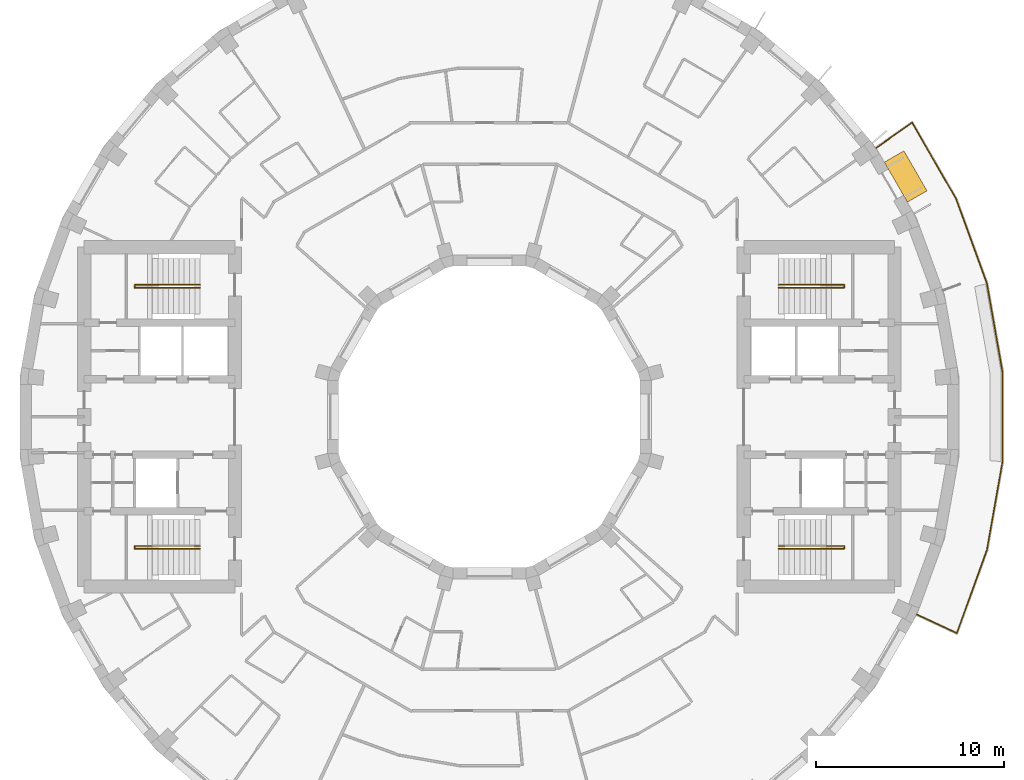
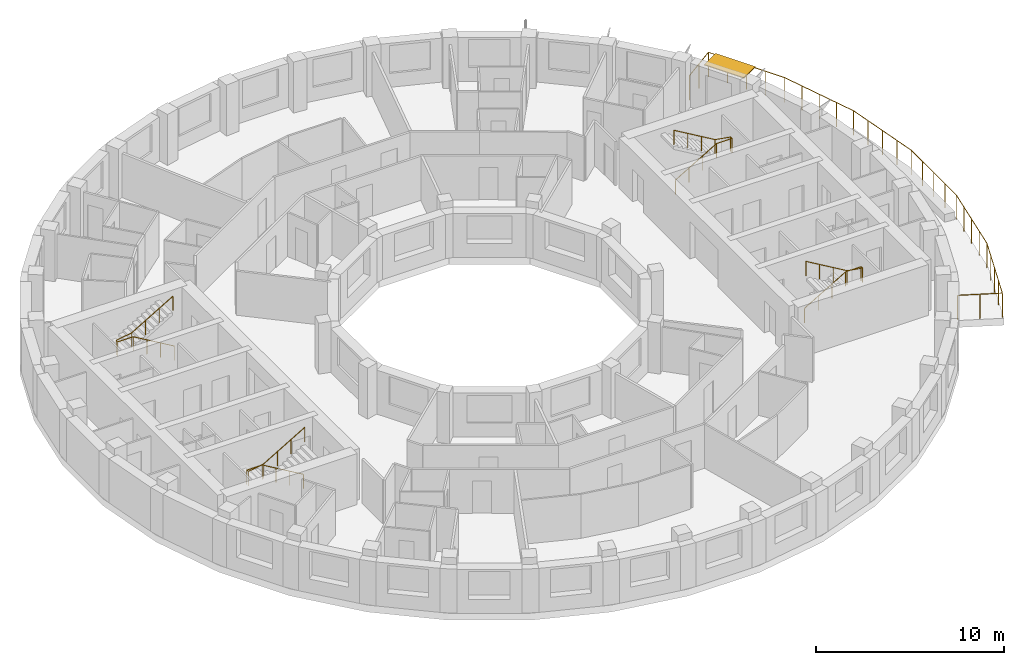
# One storey, part 11 of 11: 5 railings, 1 shading device.
"""IFC4 building model written with IfcOpenShell, lengths in metres."""

import ifcopenshell
import ifcopenshell.guid

model = None  # the IFC model being written
_history = None  # IfcOwnerHistory: only IFC2X3 demands one
_inside = {}  # id of a spatial element -> (the spatial element, [elements in it])
_under = {}  # id of a project, library or spatial element -> (it, [spatial elements below it])
_declared = {}  # id of a project -> (the project, [libraries it declares])
_typed = {}  # id of a type object -> (the type object, [elements of that type])
_made_of = {}  # id of a material, layer set ... -> (it, [elements and type objects made of it])


def new_model(schema):
    """Start an empty IFC model of exactly this schema.

    Asked for "IFC4X3", IfcOpenShell would pick the latest addendum, in which some entities
    have other attributes; the version numbers below select the first issue.
    IFC2X3 requires an IfcOwnerHistory on every rooted entity: one is made here for all.
    """
    global model, _history
    if schema == "IFC4X3":
        model = ifcopenshell.file(schema_version=(4, 3, 0, 0))
    else:
        model = ifcopenshell.file(schema=schema)
    _inside.clear()
    _under.clear()
    _declared.clear()
    _typed.clear()
    _made_of.clear()
    _history = None
    if model.schema == "IFC2X3":
        org = make("IfcOrganization", Name="unknown")
        user = make(
            "IfcPersonAndOrganization",
            ThePerson=make("IfcPerson", FamilyName="unknown"),
            TheOrganization=org,
        )
        app = make(
            "IfcApplication",
            ApplicationDeveloper=org,
            Version="unknown",
            ApplicationFullName="unknown",
            ApplicationIdentifier="unknown",
        )
        _history = make(
            "IfcOwnerHistory",
            OwningUser=user,
            OwningApplication=app,
            ChangeAction="ADDED",
            CreationDate=0,
        )
    return model


def make(cls, **values):
    """One entity of the class cls with the attributes given. An attribute that is None is left unset."""
    return model.create_entity(
        cls, **{name: value for name, value in values.items() if value is not None}
    )


def rooted(cls, **values):
    """An entity with a GlobalId (a new one), such as an element, a storey or a relation."""
    return make(cls, GlobalId=ifcopenshell.guid.new(), OwnerHistory=_history, **values)


def si_unit(unit_type, name, prefix=None):
    """IfcSIUnit, for example si_unit("LENGTHUNIT", "METRE", prefix="MILLI")."""
    return make("IfcSIUnit", UnitType=unit_type, Prefix=prefix, Name=name)


def assignment(units):
    """IfcUnitAssignment: the units of a project."""
    return None if units is None else make("IfcUnitAssignment", Units=units)


def point(xyz):
    """IfcCartesianPoint."""
    return None if xyz is None else make("IfcCartesianPoint", Coordinates=xyz)


def direction(xyz):
    """IfcDirection."""
    return None if xyz is None else make("IfcDirection", DirectionRatios=xyz)


def frame(location, z_axis=None, x_axis=None):
    """IfcAxis2Placement3D, a coordinate frame: its origin and axes. An axis left out is left unset."""
    return make(
        "IfcAxis2Placement3D",
        Location=point(location),
        Axis=direction(z_axis),
        RefDirection=direction(x_axis),
    )


def frame_2d(location, x_axis=None):
    """IfcAxis2Placement2D, a coordinate frame in the plane: its origin and x axis."""
    return make(
        "IfcAxis2Placement2D", Location=point(location), RefDirection=direction(x_axis)
    )


def origin():
    """The frame at (0, 0, 0) with its axes left unset."""
    return frame((0.0, 0.0, 0.0))


def origin_2d():
    """The frame at (0, 0) in the plane with its x axis left unset."""
    return frame_2d((0.0, 0.0))


def place(relative_to, where):
    """IfcLocalPlacement: puts the frame where relative to a parent placement (None: the world)."""
    return make(
        "IfcLocalPlacement", PlacementRelTo=relative_to, RelativePlacement=where
    )


def context(
    kind, dimensions, precision=None, world=None, true_north=None, identifier=None
):
    """IfcGeometricRepresentationContext, for example the 3D "Model" context."""
    return make(
        "IfcGeometricRepresentationContext",
        ContextIdentifier=identifier,
        ContextType=kind,
        CoordinateSpaceDimension=dimensions,
        Precision=precision,
        WorldCoordinateSystem=world,
        TrueNorth=true_north,
    )


def subcontext(parent, identifier, kind, view, scale=None):
    """IfcGeometricRepresentationSubContext, for example "Body" below "Model"."""
    return make(
        "IfcGeometricRepresentationSubContext",
        ContextIdentifier=identifier,
        ContextType=kind,
        ParentContext=parent,
        TargetScale=scale,
        TargetView=view,
    )


def project(units=None, contexts=None):
    """IfcProject with its units and contexts."""
    return rooted(
        "IfcProject",
        Name="project",
        RepresentationContexts=contexts,
        UnitsInContext=assignment(units),
    )


def spatial(cls, under=None, at=None, **own):
    """A site, building, storey or space (cls), placed at a placement, below another one or the project."""
    s = rooted(cls, ObjectPlacement=at, **own)
    if under is not None:
        _under.setdefault(under.id(), (under, []))[1].append(s)
    return s


def profile(cls, at=None, kind="AREA", **sizes):
    """A parametric profile (cls). Its sizes go by their IFC names, for example OverallWidth=200.0."""
    return make(cls, ProfileType=kind, Position=at, **sizes)


def rectangle(**sizes):
    """IfcRectangleProfileDef."""
    return profile("IfcRectangleProfileDef", **sizes)


def circle(**sizes):
    """IfcCircleProfileDef."""
    return profile("IfcCircleProfileDef", **sizes)


def extrude(swept, where, along, depth):
    """IfcExtrudedAreaSolid: the profile swept, set in the frame where, extruded along a direction by depth."""
    return make(
        "IfcExtrudedAreaSolid",
        SweptArea=swept,
        Position=where,
        ExtrudedDirection=direction(along),
        Depth=depth,
    )


def shape(context_of_items, identifier, shape_type, items):
    """IfcShapeRepresentation: the items that make up one representation, for example the "Body"."""
    return make(
        "IfcShapeRepresentation",
        ContextOfItems=context_of_items,
        RepresentationIdentifier=identifier,
        RepresentationType=shape_type,
        Items=items,
    )


def material(Name=None, Category=None):
    """IfcMaterial."""
    return make("IfcMaterial", Name=Name, Category=Category)


def layer(
    of_material, thickness, ventilated=None, Name=None, Category=None, Priority=None
):
    """IfcMaterialLayer: one layer of a wall or slab, of a material (None: an air gap)."""
    return make(
        "IfcMaterialLayer",
        Material=of_material,
        LayerThickness=thickness,
        IsVentilated=ventilated,
        Name=Name,
        Category=Category,
        Priority=Priority,
    )


def layer_set(layers, Name=None):
    """IfcMaterialLayerSet."""
    return make("IfcMaterialLayerSet", MaterialLayers=layers, LayerSetName=Name)


def made_of(thing, what):
    """Note that an element or type object is made of a material, layer set ...; save() writes the relation."""
    if what is not None:
        _made_of.setdefault(what.id(), (what, []))[1].append(thing)
    return thing


def type_object(cls, material=None, **own):
    """A type object (cls), such as IfcWallType, which elements share."""
    return made_of(rooted(cls, **own), material)


def element(
    cls,
    number,
    at=None,
    inside=None,
    cuts=None,
    type_object=None,
    material=None,
    context=None,
    identifier="Body",
    shape_type=None,
    held_by="IfcProductDefinitionShape",
    body=None,
    shapes=None,
    **own,
):
    """One element of the class cls, such as IfcWall. Its Tag is "e" and its number.

    at: its placement. inside: the storey or other place that contains it. cuts: it is an
    opening in that element (IfcRelVoidsElement). A single representation is given by context,
    identifier, shape_type and body (its items); several are given by shapes. held_by: the class
    of the entity that holds the representations. save() writes the other relations.
    """
    e = rooted(cls, Tag="e%d" % number, ObjectPlacement=at, **own)
    if body is not None:
        shapes = [shape(context, identifier, shape_type, body)]
    if shapes is not None:
        e.Representation = make(held_by, Representations=shapes)
    if inside is not None:
        _inside.setdefault(inside.id(), (inside, []))[1].append(e)
    if cuts is not None:
        rooted(
            "IfcRelVoidsElement", RelatingBuildingElement=cuts, RelatedOpeningElement=e
        )
    if type_object is not None:
        _typed.setdefault(type_object.id(), (type_object, []))[1].append(e)
    return made_of(e, material)


def aggregate(whole, parts):
    """IfcRelAggregates: a whole, such as a stair, and the parts it consists of."""
    return rooted("IfcRelAggregates", RelatingObject=whole, RelatedObjects=parts)


def save(model, path):
    """Write the relations noted so far, then the file.

    IfcRelAggregates (storeys below a building ...), IfcRelContainedInSpatialStructure (elements
    in a storey), IfcRelDefinesByType, IfcRelAssociatesMaterial and IfcRelDeclares: one each for
    every whole, place, type object, material and project.
    """
    for whole, parts in _under.values():
        aggregate(whole, parts)
    for where, things in _inside.values():
        rooted(
            "IfcRelContainedInSpatialStructure",
            RelatedElements=things,
            RelatingStructure=where,
        )
    for kind, things in _typed.values():
        rooted("IfcRelDefinesByType", RelatedObjects=things, RelatingType=kind)
    for what, things in _made_of.values():
        rooted("IfcRelAssociatesMaterial", RelatedObjects=things, RelatingMaterial=what)
    for by, libraries in _declared.values():
        rooted("IfcRelDeclares", RelatingContext=by, RelatedDefinitions=libraries)
    model.write(path)


model = new_model("IFC4")

# Units and contexts
model_context = context("Model", 3, precision=1e-05, world=origin(), true_north=direction((0.0, 1.0)))
body_context = subcontext(model_context, "Body", "Model", "MODEL_VIEW")
ifc_project = project(units=[si_unit("LENGTHUNIT", "METRE"), si_unit("AREAUNIT", "SQUARE_METRE"), si_unit("VOLUMEUNIT", "CUBIC_METRE"), si_unit("PLANEANGLEUNIT", "RADIAN"), si_unit("MASSUNIT", "GRAM", prefix="KILO")], contexts=[model_context])

# Site, building, storey
site_placement = place(None, origin())
site = spatial("IfcSite", under=ifc_project, at=site_placement, CompositionType="ELEMENT")
building_placement = place(site_placement, origin())
building = spatial("IfcBuilding", under=site, at=building_placement, Name="Saqina Gate Tower", CompositionType="ELEMENT")
storey_placement = place(building_placement, frame((0.0, 0.0, 187.199951171875)))
storey = spatial("IfcBuildingStorey", under=building, at=storey_placement, Name="L53", CompositionType="ELEMENT", Elevation=187.199951171875)

# Shading device
ifc_material_1 = material(Name="Aluminium and fabric awning", Category="aluminium")
ifc_layer = layer(ifc_material_1, 0.050048828125)
ifc_layer_set = layer_set([ifc_layer], Name="AW-TERRACE")
shading_device_type = type_object("IfcShadingDeviceType", Name="AW-TERRACE", PredefinedType="AWNING", material=ifc_layer_set)
shading_device_placement = place(storey_placement, frame((22.087890625, 12.75244140625, 2.52490234375), z_axis=(0.0, 0.0, 1.0), x_axis=(-0.5, 0.866025403784, 0.0)))
element("IfcShadingDevice", 1, at=shading_device_placement, inside=storey, type_object=shading_device_type, Name="Terrace awning L53 facet 3", PredefinedType="AWNING", context=body_context, shape_type="SweptSolid", body=[
    extrude(rectangle(XDim=2.44970703125, YDim=1.199951171875, at=origin_2d()), origin(), (0.0, 0.0, 1.0), 0.050048828125),
])

# Railings
ifc_material_2 = material(Name="Stainless steel", Category="steel")
railing_type_1 = type_object("IfcRailingType", Name="RL-TERRACE", PredefinedType="GUARDRAIL", material=ifc_material_2)
railing_1_placement = place(storey_placement, frame((22.63720703125, -10.467529296875, 0.0)))
element("IfcRailing", 2, at=railing_1_placement, inside=storey, type_object=railing_type_1, Name="Terrace guard L53", PredefinedType="GUARDRAIL", context=body_context, shape_type="SweptSolid", body=[
    extrude(circle(Radius=0.02392578125, at=origin_2d()), frame((0.0, 0.0, 1.576171875), z_axis=(0.906277108403, -0.422684046048, 0.0), x_axis=(0.422684046048, 0.906277108403, 0.0)), (0.0, 0.0, 1.0), 2.388916015625),
    extrude(circle(Radius=0.02392578125, at=origin_2d()), frame((2.1650390625, -1.009765625, 1.576171875), z_axis=(0.340608713677, 0.940205139407, 0.0), x_axis=(-0.940205139407, 0.340608713677, 0.0)), (0.0, 0.0, 1.0), 4.68408203125),
    extrude(circle(Radius=0.02392578125, at=origin_2d()), frame((3.760498046875, 3.394287109375, 1.576171875), z_axis=(0.173633303123, 0.98481037568, 0.0), x_axis=(-0.98481037568, 0.173633303123, 0.0)), (0.0, 0.0, 1.0), 4.763671875),
    extrude(circle(Radius=0.02392578125, at=origin_2d()), frame((4.587646484375, 8.085693359375, 1.576171875), z_axis=(0.0, 1.0, 0.0), x_axis=(-1.0, 0.0, 0.0)), (0.0, 0.0, 1.0), 4.763671875),
    extrude(circle(Radius=0.02392578125, at=origin_2d()), frame((4.587646484375, 12.849365234375, 1.576171875), z_axis=(-0.173633303123, 0.98481037568, 0.0), x_axis=(-0.98481037568, -0.173633303123, 0.0)), (0.0, 0.0, 1.0), 4.763671875),
    extrude(circle(Radius=0.02392578125, at=origin_2d()), frame((3.760498046875, 17.540771484375, 1.576171875), z_axis=(-0.342031084868, 0.939688638318, 0.0), x_axis=(-0.939688638318, -0.342031084868, 0.0)), (0.0, 0.0, 1.0), 4.763916015625),
    extrude(circle(Radius=0.02392578125, at=origin_2d()), frame((2.131103515625, 22.017333984375, 1.576171875), z_axis=(-0.49871886863, 0.866763802932, 0.0), x_axis=(-0.866763802932, -0.49871886863, 0.0)), (0.0, 0.0, 1.0), 4.683837890625),
    extrude(circle(Radius=0.02392578125, at=origin_2d()), frame((-0.204833984375, 26.0771484375, 1.576171875), z_axis=(-0.819159891559, -0.573565229124, 0.0), x_axis=(0.573565229124, -0.819159891559, 0.0)), (0.0, 0.0, 1.0), 2.388671875),
    extrude(circle(Radius=0.02099609375, at=origin_2d()), origin(), (0.0, 0.0, 1.0), 1.552001953125),
    extrude(circle(Radius=0.02099609375, at=origin_2d()), frame((1.08251953125, -0.5048828125, 0.0)), (0.0, 0.0, 1.0), 1.552001953125),
    extrude(circle(Radius=0.02099609375, at=origin_2d()), frame((2.1650390625, -1.009765625, 0.0)), (0.0, 0.0, 1.0), 1.552001953125),
    extrude(circle(Radius=0.02099609375, at=origin_2d()), frame((2.56396484375, 0.09130859375, 0.0)), (0.0, 0.0, 1.0), 1.552001953125),
    extrude(circle(Radius=0.02099609375, at=origin_2d()), frame((2.962890625, 1.1923828125, 0.0)), (0.0, 0.0, 1.0), 1.552001953125),
    extrude(circle(Radius=0.02099609375, at=origin_2d()), frame((3.361572265625, 2.293212890625, 0.0)), (0.0, 0.0, 1.0), 1.552001953125),
    extrude(circle(Radius=0.02099609375, at=origin_2d()), frame((3.760498046875, 3.394287109375, 0.0)), (0.0, 0.0, 1.0), 1.552001953125),
    extrude(circle(Radius=0.02099609375, at=origin_2d()), frame((3.96728515625, 4.567138671875, 0.0)), (0.0, 0.0, 1.0), 1.552001953125),
    extrude(circle(Radius=0.02099609375, at=origin_2d()), frame((4.174072265625, 5.739990234375, 0.0)), (0.0, 0.0, 1.0), 1.552001953125),
    extrude(circle(Radius=0.02099609375, at=origin_2d()), frame((4.380859375, 6.912841796875, 0.0)), (0.0, 0.0, 1.0), 1.552001953125),
    extrude(circle(Radius=0.02099609375, at=origin_2d()), frame((4.587646484375, 8.085693359375, 0.0)), (0.0, 0.0, 1.0), 1.552001953125),
    extrude(circle(Radius=0.02099609375, at=origin_2d()), frame((4.587646484375, 9.276611328125, 0.0)), (0.0, 0.0, 1.0), 1.552001953125),
    extrude(circle(Radius=0.02099609375, at=origin_2d()), frame((4.587646484375, 10.467529296875, 0.0)), (0.0, 0.0, 1.0), 1.552001953125),
    extrude(circle(Radius=0.02099609375, at=origin_2d()), frame((4.587646484375, 11.658447265625, 0.0)), (0.0, 0.0, 1.0), 1.552001953125),
    extrude(circle(Radius=0.02099609375, at=origin_2d()), frame((4.587646484375, 12.849365234375, 0.0)), (0.0, 0.0, 1.0), 1.552001953125),
    extrude(circle(Radius=0.02099609375, at=origin_2d()), frame((4.380859375, 14.022216796875, 0.0)), (0.0, 0.0, 1.0), 1.552001953125),
    extrude(circle(Radius=0.02099609375, at=origin_2d()), frame((4.174072265625, 15.195068359375, 0.0)), (0.0, 0.0, 1.0), 1.552001953125),
    extrude(circle(Radius=0.02099609375, at=origin_2d()), frame((3.96728515625, 16.367919921875, 0.0)), (0.0, 0.0, 1.0), 1.552001953125),
    extrude(circle(Radius=0.02099609375, at=origin_2d()), frame((3.760498046875, 17.540771484375, 0.0)), (0.0, 0.0, 1.0), 1.552001953125),
    extrude(circle(Radius=0.02099609375, at=origin_2d()), frame((3.35302734375, 18.659912109375, 0.0)), (0.0, 0.0, 1.0), 1.552001953125),
    extrude(circle(Radius=0.02099609375, at=origin_2d()), frame((2.94580078125, 19.779052734375, 0.0)), (0.0, 0.0, 1.0), 1.552001953125),
    extrude(circle(Radius=0.02099609375, at=origin_2d()), frame((2.53857421875, 20.898193359375, 0.0)), (0.0, 0.0, 1.0), 1.552001953125),
    extrude(circle(Radius=0.02099609375, at=origin_2d()), frame((2.131103515625, 22.017333984375, 0.0)), (0.0, 0.0, 1.0), 1.552001953125),
    extrude(circle(Radius=0.02099609375, at=origin_2d()), frame((1.547119140625, 23.0322265625, 0.0)), (0.0, 0.0, 1.0), 1.552001953125),
    extrude(circle(Radius=0.02099609375, at=origin_2d()), frame((0.963134765625, 24.04736328125, 0.0)), (0.0, 0.0, 1.0), 1.552001953125),
    extrude(circle(Radius=0.02099609375, at=origin_2d()), frame((0.379150390625, 25.062255859375, 0.0)), (0.0, 0.0, 1.0), 1.552001953125),
    extrude(circle(Radius=0.02099609375, at=origin_2d()), frame((-0.204833984375, 26.0771484375, 0.0)), (0.0, 0.0, 1.0), 1.552001953125),
    extrude(circle(Radius=0.02099609375, at=origin_2d()), frame((-1.18310546875, 25.39208984375, 0.0)), (0.0, 0.0, 1.0), 1.552001953125),
    extrude(circle(Radius=0.02099609375, at=origin_2d()), frame((-2.16162109375, 24.70703125, 0.0)), (0.0, 0.0, 1.0), 1.552001953125),
])
ifc_material_3 = material(Name="Stainless steel", Category="steel")
railing_type_2 = type_object("IfcRailingType", Name="STAIR HANDRAIL", PredefinedType="HANDRAIL", material=ifc_material_3)
railing_2_placement = place(storey_placement, frame((15.35009765625, 6.85009765625, 0.1650390625)))
element("IfcRailing", 3, at=railing_2_placement, inside=storey, type_object=railing_type_2, Name="EXIT STAIR 1 HANDRAIL", PredefinedType="HANDRAIL", context=body_context, shape_type="SweptSolid", body=[
    extrude(circle(Radius=0.02392578125, at=origin_2d()), frame((0.0, 0.0, 0.92578125), z_axis=(0.86152411907, 0.0, 0.507716645641), x_axis=(0.0, 1.0, 0.0)), (0.0, 0.0, 1.0), 2.925048828125),
    extrude(circle(Radius=0.02392578125, at=origin_2d()), frame((2.52001953125, 0.0, 2.4111328125), z_axis=(1.0, 0.0, 0.0), x_axis=(0.0, 1.0, 0.0)), (0.0, 0.0, 1.0), 0.949951171875),
    extrude(circle(Radius=0.02392578125, at=origin_2d()), frame((3.469970703125, 0.0, 2.4111328125), z_axis=(0.0, 1.0, 0.0), x_axis=(-1.0, 0.0, 0.0)), (0.0, 0.0, 1.0), 0.14990234375),
    extrude(circle(Radius=0.02392578125, at=origin_2d()), frame((3.469970703125, 0.14990234375, 2.4111328125), z_axis=(-0.985284148366, 0.0, 0.170924389655), x_axis=(0.0, -1.0, 0.0)), (0.0, 0.0, 1.0), 0.964111328125),
    extrude(circle(Radius=0.02392578125, at=origin_2d()), frame((2.52001953125, 0.14990234375, 2.57568359375), z_axis=(-0.86152411907, 0.0, 0.507716645641), x_axis=(0.0, -1.0, 0.0)), (0.0, 0.0, 1.0), 2.925048828125),
    extrude(circle(Radius=0.02099609375, at=origin_2d()), origin(), (0.0, 0.0, 1.0), 0.90185546875),
    extrude(circle(Radius=0.02099609375, at=origin_2d()), frame((0.840087890625, 0.0, 0.4951171875)), (0.0, 0.0, 1.0), 0.90185546875),
    extrude(circle(Radius=0.02099609375, at=origin_2d()), frame((1.679931640625, 0.0, 0.989990234375)), (0.0, 0.0, 1.0), 0.90185546875),
    extrude(circle(Radius=0.02099609375, at=origin_2d()), frame((2.52001953125, 0.0, 1.485107421875)), (0.0, 0.0, 1.0), 0.90185546875),
    extrude(circle(Radius=0.02099609375, at=origin_2d()), frame((3.469970703125, 0.0, 1.485107421875)), (0.0, 0.0, 1.0), 0.90185546875),
    extrude(circle(Radius=0.02099609375, at=origin_2d()), frame((3.469970703125, 0.14990234375, 1.485107421875)), (0.0, 0.0, 1.0), 0.90185546875),
    extrude(circle(Radius=0.02099609375, at=origin_2d()), frame((2.52001953125, 0.14990234375, 1.64990234375)), (0.0, 0.0, 1.0), 0.90185546875),
    extrude(circle(Radius=0.02099609375, at=origin_2d()), frame((1.679931640625, 0.14990234375, 2.14501953125)), (0.0, 0.0, 1.0), 0.90185546875),
    extrude(circle(Radius=0.02099609375, at=origin_2d()), frame((0.840087890625, 0.14990234375, 2.639892578125)), (0.0, 0.0, 1.0), 0.90185546875),
    extrude(circle(Radius=0.02099609375, at=origin_2d()), frame((0.0, 0.14990234375, 3.135009765625)), (0.0, 0.0, 1.0), 0.90185546875),
])
railing_3_placement = place(storey_placement, frame((15.35009765625, -6.85009765625, 0.1650390625)))
element("IfcRailing", 4, at=railing_3_placement, inside=storey, type_object=railing_type_2, Name="EXIT STAIR 2 HANDRAIL", PredefinedType="HANDRAIL", context=body_context, shape_type="SweptSolid", body=[
    extrude(circle(Radius=0.02392578125, at=origin_2d()), frame((0.0, 0.0, 0.92578125), z_axis=(0.86152411907, 0.0, 0.507716645641), x_axis=(0.0, 1.0, 0.0)), (0.0, 0.0, 1.0), 2.925048828125),
    extrude(circle(Radius=0.02392578125, at=origin_2d()), frame((2.52001953125, 0.0, 2.4111328125), z_axis=(1.0, 0.0, 0.0), x_axis=(0.0, 1.0, 0.0)), (0.0, 0.0, 1.0), 0.949951171875),
    extrude(circle(Radius=0.02392578125, at=origin_2d()), frame((3.469970703125, 0.0, 2.4111328125), z_axis=(0.0, -1.0, 0.0), x_axis=(1.0, 0.0, 0.0)), (0.0, 0.0, 1.0), 0.14990234375),
    extrude(circle(Radius=0.02392578125, at=origin_2d()), frame((3.469970703125, -0.14990234375, 2.4111328125), z_axis=(-0.985284148366, 0.0, 0.170924389655), x_axis=(0.0, -1.0, 0.0)), (0.0, 0.0, 1.0), 0.964111328125),
    extrude(circle(Radius=0.02392578125, at=origin_2d()), frame((2.52001953125, -0.14990234375, 2.57568359375), z_axis=(-0.86152411907, 0.0, 0.507716645641), x_axis=(0.0, -1.0, 0.0)), (0.0, 0.0, 1.0), 2.925048828125),
    extrude(circle(Radius=0.02099609375, at=origin_2d()), origin(), (0.0, 0.0, 1.0), 0.90185546875),
    extrude(circle(Radius=0.02099609375, at=origin_2d()), frame((0.840087890625, 0.0, 0.4951171875)), (0.0, 0.0, 1.0), 0.90185546875),
    extrude(circle(Radius=0.02099609375, at=origin_2d()), frame((1.679931640625, 0.0, 0.989990234375)), (0.0, 0.0, 1.0), 0.90185546875),
    extrude(circle(Radius=0.02099609375, at=origin_2d()), frame((2.52001953125, 0.0, 1.485107421875)), (0.0, 0.0, 1.0), 0.90185546875),
    extrude(circle(Radius=0.02099609375, at=origin_2d()), frame((3.469970703125, 0.0, 1.485107421875)), (0.0, 0.0, 1.0), 0.90185546875),
    extrude(circle(Radius=0.02099609375, at=origin_2d()), frame((3.469970703125, -0.14990234375, 1.485107421875)), (0.0, 0.0, 1.0), 0.90185546875),
    extrude(circle(Radius=0.02099609375, at=origin_2d()), frame((2.52001953125, -0.14990234375, 1.64990234375)), (0.0, 0.0, 1.0), 0.90185546875),
    extrude(circle(Radius=0.02099609375, at=origin_2d()), frame((1.679931640625, -0.14990234375, 2.14501953125)), (0.0, 0.0, 1.0), 0.90185546875),
    extrude(circle(Radius=0.02099609375, at=origin_2d()), frame((0.840087890625, -0.14990234375, 2.639892578125)), (0.0, 0.0, 1.0), 0.90185546875),
    extrude(circle(Radius=0.02099609375, at=origin_2d()), frame((0.0, -0.14990234375, 3.135009765625)), (0.0, 0.0, 1.0), 0.90185546875),
])
railing_4_placement = place(storey_placement, frame((-15.35009765625, 6.85009765625, 0.1650390625)))
element("IfcRailing", 5, at=railing_4_placement, inside=storey, type_object=railing_type_2, Name="EXIT STAIR 3 HANDRAIL", PredefinedType="HANDRAIL", context=body_context, shape_type="SweptSolid", body=[
    extrude(circle(Radius=0.02392578125, at=origin_2d()), frame((0.0, 0.0, 0.92578125), z_axis=(-0.86152411907, 0.0, 0.507716645641), x_axis=(0.0, -1.0, 0.0)), (0.0, 0.0, 1.0), 2.925048828125),
    extrude(circle(Radius=0.02392578125, at=origin_2d()), frame((-2.52001953125, 0.0, 2.4111328125), z_axis=(-1.0, 0.0, 0.0), x_axis=(0.0, -1.0, 0.0)), (0.0, 0.0, 1.0), 0.949951171875),
    extrude(circle(Radius=0.02392578125, at=origin_2d()), frame((-3.469970703125, 0.0, 2.4111328125), z_axis=(0.0, 1.0, 0.0), x_axis=(-1.0, 0.0, 0.0)), (0.0, 0.0, 1.0), 0.14990234375),
    extrude(circle(Radius=0.02392578125, at=origin_2d()), frame((-3.469970703125, 0.14990234375, 2.4111328125), z_axis=(0.985284148366, 0.0, 0.170924389655), x_axis=(0.0, 1.0, 0.0)), (0.0, 0.0, 1.0), 0.964111328125),
    extrude(circle(Radius=0.02392578125, at=origin_2d()), frame((-2.52001953125, 0.14990234375, 2.57568359375), z_axis=(0.86152411907, 0.0, 0.507716645641), x_axis=(0.0, 1.0, 0.0)), (0.0, 0.0, 1.0), 2.925048828125),
    extrude(circle(Radius=0.02099609375, at=origin_2d()), origin(), (0.0, 0.0, 1.0), 0.90185546875),
    extrude(circle(Radius=0.02099609375, at=origin_2d()), frame((-0.840087890625, 0.0, 0.4951171875)), (0.0, 0.0, 1.0), 0.90185546875),
    extrude(circle(Radius=0.02099609375, at=origin_2d()), frame((-1.679931640625, 0.0, 0.989990234375)), (0.0, 0.0, 1.0), 0.90185546875),
    extrude(circle(Radius=0.02099609375, at=origin_2d()), frame((-2.52001953125, 0.0, 1.485107421875)), (0.0, 0.0, 1.0), 0.90185546875),
    extrude(circle(Radius=0.02099609375, at=origin_2d()), frame((-3.469970703125, 0.0, 1.485107421875)), (0.0, 0.0, 1.0), 0.90185546875),
    extrude(circle(Radius=0.02099609375, at=origin_2d()), frame((-3.469970703125, 0.14990234375, 1.485107421875)), (0.0, 0.0, 1.0), 0.90185546875),
    extrude(circle(Radius=0.02099609375, at=origin_2d()), frame((-2.52001953125, 0.14990234375, 1.64990234375)), (0.0, 0.0, 1.0), 0.90185546875),
    extrude(circle(Radius=0.02099609375, at=origin_2d()), frame((-1.679931640625, 0.14990234375, 2.14501953125)), (0.0, 0.0, 1.0), 0.90185546875),
    extrude(circle(Radius=0.02099609375, at=origin_2d()), frame((-0.840087890625, 0.14990234375, 2.639892578125)), (0.0, 0.0, 1.0), 0.90185546875),
    extrude(circle(Radius=0.02099609375, at=origin_2d()), frame((0.0, 0.14990234375, 3.135009765625)), (0.0, 0.0, 1.0), 0.90185546875),
])
railing_5_placement = place(storey_placement, frame((-15.35009765625, -6.85009765625, 0.1650390625)))
element("IfcRailing", 6, at=railing_5_placement, inside=storey, type_object=railing_type_2, Name="EXIT STAIR 4 HANDRAIL", PredefinedType="HANDRAIL", context=body_context, shape_type="SweptSolid", body=[
    extrude(circle(Radius=0.02392578125, at=origin_2d()), frame((0.0, 0.0, 0.92578125), z_axis=(-0.86152411907, 0.0, 0.507716645641), x_axis=(0.0, -1.0, 0.0)), (0.0, 0.0, 1.0), 2.925048828125),
    extrude(circle(Radius=0.02392578125, at=origin_2d()), frame((-2.52001953125, 0.0, 2.4111328125), z_axis=(-1.0, 0.0, 0.0), x_axis=(0.0, -1.0, 0.0)), (0.0, 0.0, 1.0), 0.949951171875),
    extrude(circle(Radius=0.02392578125, at=origin_2d()), frame((-3.469970703125, 0.0, 2.4111328125), z_axis=(0.0, -1.0, 0.0), x_axis=(1.0, 0.0, 0.0)), (0.0, 0.0, 1.0), 0.14990234375),
    extrude(circle(Radius=0.02392578125, at=origin_2d()), frame((-3.469970703125, -0.14990234375, 2.4111328125), z_axis=(0.985284148366, 0.0, 0.170924389655), x_axis=(0.0, 1.0, 0.0)), (0.0, 0.0, 1.0), 0.964111328125),
    extrude(circle(Radius=0.02392578125, at=origin_2d()), frame((-2.52001953125, -0.14990234375, 2.57568359375), z_axis=(0.86152411907, 0.0, 0.507716645641), x_axis=(0.0, 1.0, 0.0)), (0.0, 0.0, 1.0), 2.925048828125),
    extrude(circle(Radius=0.02099609375, at=origin_2d()), origin(), (0.0, 0.0, 1.0), 0.90185546875),
    extrude(circle(Radius=0.02099609375, at=origin_2d()), frame((-0.840087890625, 0.0, 0.4951171875)), (0.0, 0.0, 1.0), 0.90185546875),
    extrude(circle(Radius=0.02099609375, at=origin_2d()), frame((-1.679931640625, 0.0, 0.989990234375)), (0.0, 0.0, 1.0), 0.90185546875),
    extrude(circle(Radius=0.02099609375, at=origin_2d()), frame((-2.52001953125, 0.0, 1.485107421875)), (0.0, 0.0, 1.0), 0.90185546875),
    extrude(circle(Radius=0.02099609375, at=origin_2d()), frame((-3.469970703125, 0.0, 1.485107421875)), (0.0, 0.0, 1.0), 0.90185546875),
    extrude(circle(Radius=0.02099609375, at=origin_2d()), frame((-3.469970703125, -0.14990234375, 1.485107421875)), (0.0, 0.0, 1.0), 0.90185546875),
    extrude(circle(Radius=0.02099609375, at=origin_2d()), frame((-2.52001953125, -0.14990234375, 1.64990234375)), (0.0, 0.0, 1.0), 0.90185546875),
    extrude(circle(Radius=0.02099609375, at=origin_2d()), frame((-1.679931640625, -0.14990234375, 2.14501953125)), (0.0, 0.0, 1.0), 0.90185546875),
    extrude(circle(Radius=0.02099609375, at=origin_2d()), frame((-0.840087890625, -0.14990234375, 2.639892578125)), (0.0, 0.0, 1.0), 0.90185546875),
    extrude(circle(Radius=0.02099609375, at=origin_2d()), frame((0.0, -0.14990234375, 3.135009765625)), (0.0, 0.0, 1.0), 0.90185546875),
])

save(model, "model.ifc")
